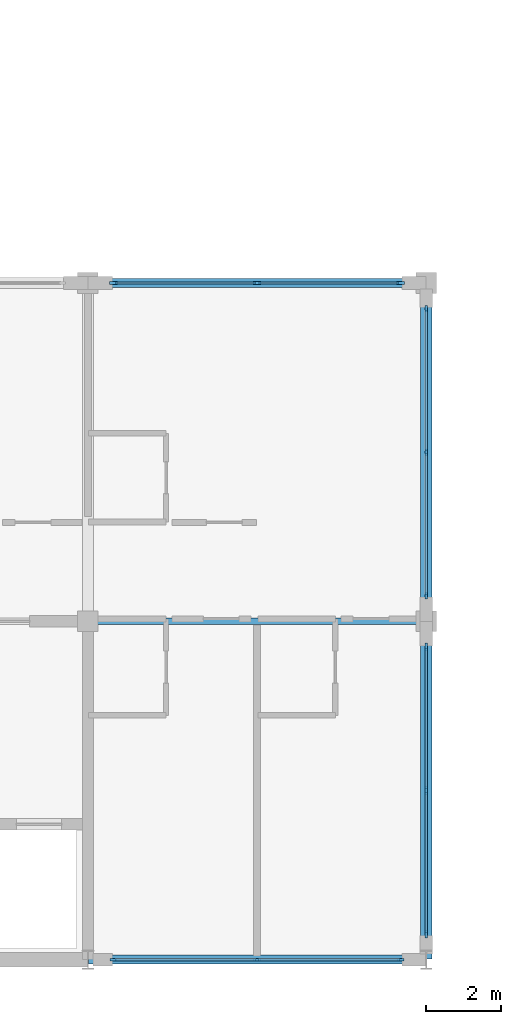
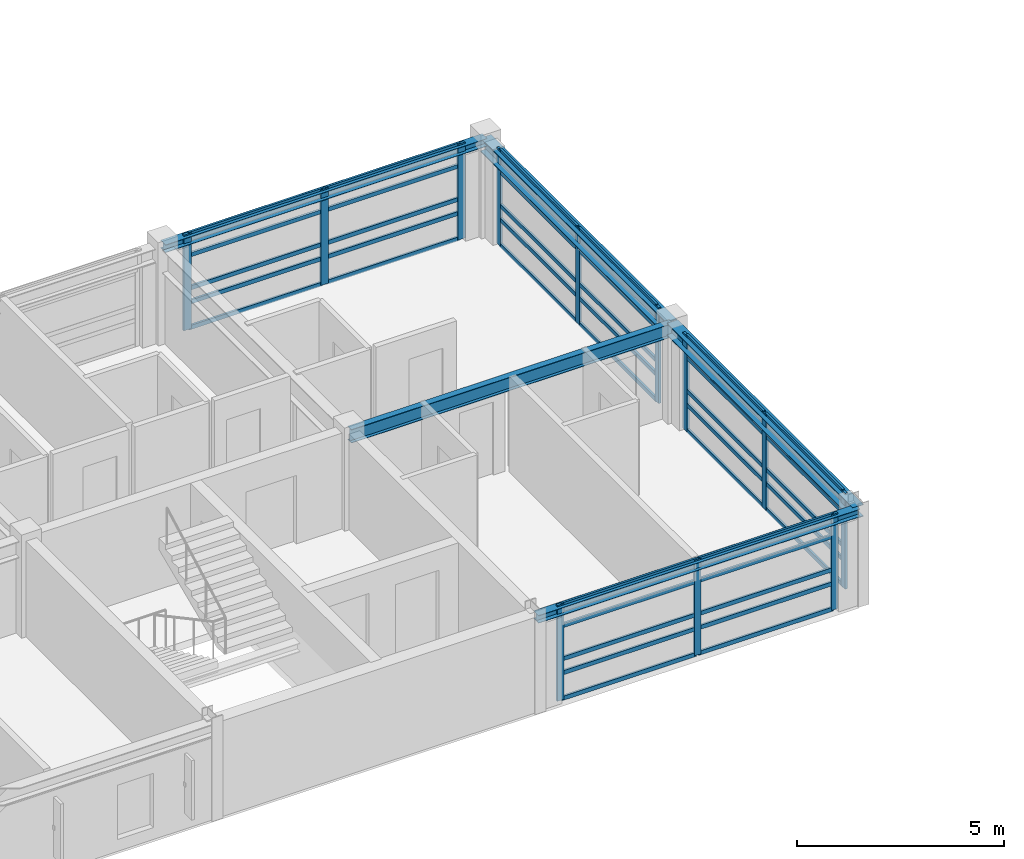
# One storey, part 11 of 37: 52 members, 5 beams, 4 elements without a shape of their own.
"""IFC4 building model written with IfcOpenShell, lengths in metres."""

from ifc_helpers import new_model, si_unit, direction, frame, origin, origin_2d, place, context, subcontext, project, spatial, rectangle, i_section, extrude, material, material_profile, profile_set, type_object, element, aggregate, save


model = new_model("IFC4")

# Units and contexts
model_context = context("Model", 3, precision=1e-05, world=origin(), true_north=direction((0.0, 1.0)))
body_context = subcontext(model_context, "Body", "Model", "MODEL_VIEW")
ifc_project = project(units=[si_unit("LENGTHUNIT", "METRE"), si_unit("AREAUNIT", "SQUARE_METRE"), si_unit("VOLUMEUNIT", "CUBIC_METRE"), si_unit("PLANEANGLEUNIT", "RADIAN"), si_unit("MASSUNIT", "GRAM", prefix="KILO")], contexts=[model_context])

# Site, building, storey
site_placement = place(None, origin())
site = spatial("IfcSite", under=ifc_project, at=site_placement, CompositionType="ELEMENT")
building_placement = place(site_placement, origin())
building = spatial("IfcBuilding", under=site, at=building_placement, Name="Palais des Congres Ocreval", CompositionType="ELEMENT")
storey_placement = place(building_placement, frame((0.0, 0.0, 11.52001953125)))
storey = spatial("IfcBuildingStorey", under=building, at=storey_placement, Name="L03", CompositionType="ELEMENT", Elevation=11.52001953125)

# Beam
ifc_material_1 = material(Name="Steel S355", Category="steel")
ifc_material_profile_1 = material_profile(ifc_material_1, i_section(OverallWidth=0.179931640625, OverallDepth=0.39990234375, WebThickness=0.008544921875, FlangeThickness=0.013427734375, at=origin_2d()), Name="IPE 400")
ifc_profile_set_1 = profile_set([ifc_material_profile_1], Name="Steel S355")
beam_type_1 = type_object("IfcBeamType", Name="Composite Beam IPE 400 Steel S355", PredefinedType="BEAM", material=ifc_profile_set_1)
beam_1_placement = place(storey_placement, frame((63.02001953125, 9.0, 2.580078125), z_axis=(1.0, 0.0, 0.0), x_axis=(0.0, 1.0, 0.0)))
element("IfcBeam", 1, at=beam_1_placement, inside=storey, type_object=beam_type_1, Name="Beam B02 L03", PredefinedType="BEAM", context=body_context, shape_type="SweptSolid", body=[
    extrude(i_section(OverallWidth=0.179931640625, OverallDepth=0.39990234375, WebThickness=0.008544921875, FlangeThickness=0.013427734375, at=origin_2d()), origin(), (0.0, 0.0, 1.0), 8.9599609375),
])

# Curtain wall, members
ifc_material_2 = material(Name="Anodized bronze aluminium and low-E glass", Category="glass")
curtain_wall_type = type_object("IfcCurtainWallType", Name="Unitised Curtain Wall 7900x2820", PredefinedType="USERDEFINED", material=ifc_material_2)
curtain_wall_1_placement = place(storey_placement, origin())
curtain_wall_1 = element("IfcCurtainWall", 2, at=curtain_wall_1_placement, inside=storey, type_object=curtain_wall_type, Name="Unitised Curtain Wall CW04 L03", ObjectType="UNITISED CURTAIN WALL", PredefinedType="USERDEFINED")
ifc_material_3 = material(Name="Anodized bronze aluminium", Category="aluminium")
ifc_material_profile_2 = material_profile(ifc_material_3, rectangle(XDim=0.06494140625, YDim=0.179931640625, at=origin_2d()), Name="ALU 65x180")
ifc_profile_set_2 = profile_set([ifc_material_profile_2], Name="Anodized bronze aluminium")
member_type_1 = type_object("IfcMemberType", Name="Curtain Wall Mullion ALU 65x180", PredefinedType="MULLION", material=ifc_profile_set_2)
member_1_placement = place(storey_placement, frame((72.0, 17.3173828125, 0.0), z_axis=(0.0, 0.0, 1.0), x_axis=(1.0, 0.0, 0.0)))
member_1 = element("IfcMember", 3, at=member_1_placement, type_object=member_type_1, Name="Curtain Wall Mullion ML03", PredefinedType="MULLION", context=body_context, shape_type="SweptSolid", body=[
    extrude(rectangle(XDim=0.06494140625, YDim=0.179931640625, at=origin_2d()), origin(), (0.0, 0.0, 1.0), 2.820068359375),
])
member_2_placement = place(storey_placement, frame((72.0, 13.5, 0.0), z_axis=(0.0, 0.0, 1.0), x_axis=(1.0, 0.0, 0.0)))
member_2 = element("IfcMember", 4, at=member_2_placement, type_object=member_type_1, Name="Curtain Wall Mullion ML03", PredefinedType="MULLION", context=body_context, shape_type="SweptSolid", body=[
    extrude(rectangle(XDim=0.06494140625, YDim=0.179931640625, at=origin_2d()), origin(), (0.0, 0.0, 1.0), 2.820068359375),
])
member_3_placement = place(storey_placement, frame((72.0, 9.6826171875, 0.0), z_axis=(0.0, 0.0, 1.0), x_axis=(1.0, 0.0, 0.0)))
member_3 = element("IfcMember", 5, at=member_3_placement, type_object=member_type_1, Name="Curtain Wall Mullion ML03", PredefinedType="MULLION", context=body_context, shape_type="SweptSolid", body=[
    extrude(rectangle(XDim=0.06494140625, YDim=0.179931640625, at=origin_2d()), origin(), (0.0, 0.0, 1.0), 2.820068359375),
])

curtain_wall_2_placement = place(storey_placement, origin())
curtain_wall_2 = element("IfcCurtainWall", 6, at=curtain_wall_2_placement, inside=storey, type_object=curtain_wall_type, Name="Unitised Curtain Wall CW04 L03", ObjectType="UNITISED CURTAIN WALL", PredefinedType="USERDEFINED")
member_4_placement = place(storey_placement, frame((71.3173828125, 0.0, 0.0), z_axis=(0.0, 0.0, 1.0), x_axis=(0.0, -1.0, 0.0)))
member_4 = element("IfcMember", 7, at=member_4_placement, type_object=member_type_1, Name="Curtain Wall Mullion ML03", PredefinedType="MULLION", context=body_context, shape_type="SweptSolid", body=[
    extrude(rectangle(XDim=0.06494140625, YDim=0.179931640625, at=origin_2d()), origin(), (0.0, 0.0, 1.0), 2.820068359375),
])
member_5_placement = place(storey_placement, frame((67.5, 0.0, 0.0), z_axis=(0.0, 0.0, 1.0), x_axis=(0.0, -1.0, 0.0)))
member_5 = element("IfcMember", 8, at=member_5_placement, type_object=member_type_1, Name="Curtain Wall Mullion ML03", PredefinedType="MULLION", context=body_context, shape_type="SweptSolid", body=[
    extrude(rectangle(XDim=0.06494140625, YDim=0.179931640625, at=origin_2d()), origin(), (0.0, 0.0, 1.0), 2.820068359375),
])
member_6_placement = place(storey_placement, frame((63.6826171875, 0.0, 0.0), z_axis=(0.0, 0.0, 1.0), x_axis=(0.0, -1.0, 0.0)))
member_6 = element("IfcMember", 9, at=member_6_placement, type_object=member_type_1, Name="Curtain Wall Mullion ML03", PredefinedType="MULLION", context=body_context, shape_type="SweptSolid", body=[
    extrude(rectangle(XDim=0.06494140625, YDim=0.179931640625, at=origin_2d()), origin(), (0.0, 0.0, 1.0), 2.820068359375),
])

curtain_wall_3_placement = place(storey_placement, origin())
curtain_wall_3 = element("IfcCurtainWall", 10, at=curtain_wall_3_placement, inside=storey, type_object=curtain_wall_type, Name="Unitised Curtain Wall CW04 L03", ObjectType="UNITISED CURTAIN WALL", PredefinedType="USERDEFINED")
ifc_material_profile_3 = material_profile(ifc_material_3, rectangle(XDim=0.070068359375, YDim=0.2099609375, at=origin_2d()), Name="ALU 70x210")
ifc_profile_set_3 = profile_set([ifc_material_profile_3], Name="Anodized bronze aluminium")
member_type_2 = type_object("IfcMemberType", Name="Curtain Wall Mullion ALU 70x210", PredefinedType="MULLION", material=ifc_profile_set_3)
member_7_placement = place(storey_placement, frame((72.0, 8.31494140625, 0.0), z_axis=(0.0, 0.0, 1.0), x_axis=(1.0, 0.0, 0.0)))
member_7 = element("IfcMember", 11, at=member_7_placement, type_object=member_type_2, Name="Curtain Wall Mullion ML02", PredefinedType="MULLION", context=body_context, shape_type="SweptSolid", body=[
    extrude(rectangle(XDim=0.070068359375, YDim=0.2099609375, at=origin_2d()), origin(), (0.0, 0.0, 1.0), 2.820068359375),
])
member_8_placement = place(storey_placement, frame((72.0, 4.5, 0.0), z_axis=(0.0, 0.0, 1.0), x_axis=(1.0, 0.0, 0.0)))
member_8 = element("IfcMember", 12, at=member_8_placement, type_object=member_type_2, Name="Curtain Wall Mullion ML02", PredefinedType="MULLION", context=body_context, shape_type="SweptSolid", body=[
    extrude(rectangle(XDim=0.070068359375, YDim=0.2099609375, at=origin_2d()), origin(), (0.0, 0.0, 1.0), 2.820068359375),
])
member_9_placement = place(storey_placement, frame((72.0, 0.68505859375, 0.0), z_axis=(0.0, 0.0, 1.0), x_axis=(1.0, 0.0, 0.0)))
member_9 = element("IfcMember", 13, at=member_9_placement, type_object=member_type_2, Name="Curtain Wall Mullion ML02", PredefinedType="MULLION", context=body_context, shape_type="SweptSolid", body=[
    extrude(rectangle(XDim=0.070068359375, YDim=0.2099609375, at=origin_2d()), origin(), (0.0, 0.0, 1.0), 2.820068359375),
])

curtain_wall_4_placement = place(storey_placement, origin())
curtain_wall_4 = element("IfcCurtainWall", 14, at=curtain_wall_4_placement, inside=storey, type_object=curtain_wall_type, Name="Unitised Curtain Wall CW04 L03", ObjectType="UNITISED CURTAIN WALL", PredefinedType="USERDEFINED")
member_10_placement = place(storey_placement, frame((63.68505859375, 18.0, 0.0), z_axis=(0.0, 0.0, 1.0), x_axis=(0.0, 1.0, 0.0)))
member_10 = element("IfcMember", 15, at=member_10_placement, type_object=member_type_2, Name="Curtain Wall Mullion ML02", PredefinedType="MULLION", context=body_context, shape_type="SweptSolid", body=[
    extrude(rectangle(XDim=0.070068359375, YDim=0.2099609375, at=origin_2d()), origin(), (0.0, 0.0, 1.0), 2.820068359375),
])
member_11_placement = place(storey_placement, frame((67.5, 18.0, 0.0), z_axis=(0.0, 0.0, 1.0), x_axis=(0.0, 1.0, 0.0)))
member_11 = element("IfcMember", 16, at=member_11_placement, type_object=member_type_2, Name="Curtain Wall Mullion ML02", PredefinedType="MULLION", context=body_context, shape_type="SweptSolid", body=[
    extrude(rectangle(XDim=0.070068359375, YDim=0.2099609375, at=origin_2d()), origin(), (0.0, 0.0, 1.0), 2.820068359375),
])
member_12_placement = place(storey_placement, frame((71.31494140625, 18.0, 0.0), z_axis=(0.0, 0.0, 1.0), x_axis=(0.0, 1.0, 0.0)))
member_12 = element("IfcMember", 17, at=member_12_placement, type_object=member_type_2, Name="Curtain Wall Mullion ML02", PredefinedType="MULLION", context=body_context, shape_type="SweptSolid", body=[
    extrude(rectangle(XDim=0.070068359375, YDim=0.2099609375, at=origin_2d()), origin(), (0.0, 0.0, 1.0), 2.820068359375),
])

# Member
ifc_material_profile_4 = material_profile(ifc_material_3, rectangle(XDim=0.06005859375, YDim=0.1201171875, at=origin_2d()), Name="ALU 60x120")
ifc_profile_set_4 = profile_set([ifc_material_profile_4], Name="Anodized bronze aluminium")
member_type_3 = type_object("IfcMemberType", Name="Curtain Wall Transom ALU 60x120", PredefinedType="USERDEFINED", material=ifc_profile_set_4)
member_13_placement = place(storey_placement, frame((72.0, 17.284912109375, 0.030029296875), z_axis=(0.0, -1.0, 0.0), x_axis=(1.0, 0.0, 0.0)))
member_13 = element("IfcMember", 18, at=member_13_placement, type_object=member_type_3, Name="Curtain Wall Transom TR02", ObjectType="TRANSOM", PredefinedType="USERDEFINED", context=body_context, shape_type="SweptSolid", body=[
    extrude(rectangle(XDim=0.06005859375, YDim=0.1201171875, at=origin_2d()), origin(), (0.0, 0.0, 1.0), 3.75244140625),
])

member_14_placement = place(storey_placement, frame((72.0, 17.284912109375, 0.780029296875), z_axis=(0.0, -1.0, 0.0), x_axis=(1.0, 0.0, 0.0)))
member_14 = element("IfcMember", 19, at=member_14_placement, type_object=member_type_3, Name="Curtain Wall Transom TR02", ObjectType="TRANSOM", PredefinedType="USERDEFINED", context=body_context, shape_type="SweptSolid", body=[
    extrude(rectangle(XDim=0.06005859375, YDim=0.1201171875, at=origin_2d()), origin(), (0.0, 0.0, 1.0), 3.75244140625),
])

member_15_placement = place(storey_placement, frame((72.0, 17.284912109375, 1.193359375), z_axis=(0.0, -1.0, 0.0), x_axis=(1.0, 0.0, 0.0)))
member_15 = element("IfcMember", 20, at=member_15_placement, type_object=member_type_3, Name="Curtain Wall Transom TR02", ObjectType="TRANSOM", PredefinedType="USERDEFINED", context=body_context, shape_type="SweptSolid", body=[
    extrude(rectangle(XDim=0.06005859375, YDim=0.1201171875, at=origin_2d()), origin(), (0.0, 0.0, 1.0), 3.75244140625),
])

member_16_placement = place(storey_placement, frame((72.0, 17.284912109375, 2.169921875), z_axis=(0.0, -1.0, 0.0), x_axis=(1.0, 0.0, 0.0)))
member_16 = element("IfcMember", 21, at=member_16_placement, type_object=member_type_3, Name="Curtain Wall Transom TR02", ObjectType="TRANSOM", PredefinedType="USERDEFINED", context=body_context, shape_type="SweptSolid", body=[
    extrude(rectangle(XDim=0.06005859375, YDim=0.1201171875, at=origin_2d()), origin(), (0.0, 0.0, 1.0), 3.75244140625),
])

member_17_placement = place(storey_placement, frame((72.0, 17.284912109375, 2.7900390625), z_axis=(0.0, -1.0, 0.0), x_axis=(1.0, 0.0, 0.0)))
member_17 = element("IfcMember", 22, at=member_17_placement, type_object=member_type_3, Name="Curtain Wall Transom TR02", ObjectType="TRANSOM", PredefinedType="USERDEFINED", context=body_context, shape_type="SweptSolid", body=[
    extrude(rectangle(XDim=0.06005859375, YDim=0.1201171875, at=origin_2d()), origin(), (0.0, 0.0, 1.0), 3.75244140625),
])

member_18_placement = place(storey_placement, frame((72.0, 13.467529296875, 0.030029296875), z_axis=(0.0, -1.0, 0.0), x_axis=(1.0, 0.0, 0.0)))
member_18 = element("IfcMember", 23, at=member_18_placement, type_object=member_type_3, Name="Curtain Wall Transom TR02", ObjectType="TRANSOM", PredefinedType="USERDEFINED", context=body_context, shape_type="SweptSolid", body=[
    extrude(rectangle(XDim=0.06005859375, YDim=0.1201171875, at=origin_2d()), origin(), (0.0, 0.0, 1.0), 3.75244140625),
])

member_19_placement = place(storey_placement, frame((72.0, 13.467529296875, 0.780029296875), z_axis=(0.0, -1.0, 0.0), x_axis=(1.0, 0.0, 0.0)))
member_19 = element("IfcMember", 24, at=member_19_placement, type_object=member_type_3, Name="Curtain Wall Transom TR02", ObjectType="TRANSOM", PredefinedType="USERDEFINED", context=body_context, shape_type="SweptSolid", body=[
    extrude(rectangle(XDim=0.06005859375, YDim=0.1201171875, at=origin_2d()), origin(), (0.0, 0.0, 1.0), 3.75244140625),
])

member_20_placement = place(storey_placement, frame((72.0, 13.467529296875, 1.193359375), z_axis=(0.0, -1.0, 0.0), x_axis=(1.0, 0.0, 0.0)))
member_20 = element("IfcMember", 25, at=member_20_placement, type_object=member_type_3, Name="Curtain Wall Transom TR02", ObjectType="TRANSOM", PredefinedType="USERDEFINED", context=body_context, shape_type="SweptSolid", body=[
    extrude(rectangle(XDim=0.06005859375, YDim=0.1201171875, at=origin_2d()), origin(), (0.0, 0.0, 1.0), 3.75244140625),
])

member_21_placement = place(storey_placement, frame((72.0, 13.467529296875, 2.169921875), z_axis=(0.0, -1.0, 0.0), x_axis=(1.0, 0.0, 0.0)))
member_21 = element("IfcMember", 26, at=member_21_placement, type_object=member_type_3, Name="Curtain Wall Transom TR02", ObjectType="TRANSOM", PredefinedType="USERDEFINED", context=body_context, shape_type="SweptSolid", body=[
    extrude(rectangle(XDim=0.06005859375, YDim=0.1201171875, at=origin_2d()), origin(), (0.0, 0.0, 1.0), 3.75244140625),
])

member_22_placement = place(storey_placement, frame((72.0, 13.467529296875, 2.7900390625), z_axis=(0.0, -1.0, 0.0), x_axis=(1.0, 0.0, 0.0)))
member_22 = element("IfcMember", 27, at=member_22_placement, type_object=member_type_3, Name="Curtain Wall Transom TR02", ObjectType="TRANSOM", PredefinedType="USERDEFINED", context=body_context, shape_type="SweptSolid", body=[
    extrude(rectangle(XDim=0.06005859375, YDim=0.1201171875, at=origin_2d()), origin(), (0.0, 0.0, 1.0), 3.75244140625),
])

aggregate(curtain_wall_1, [member_1, member_2, member_3, member_13, member_14, member_15, member_16, member_17, member_18, member_19, member_20, member_21, member_22])

member_23_placement = place(storey_placement, frame((72.0, 8.280029296875, 0.030029296875), z_axis=(0.0, -1.0, 0.0), x_axis=(1.0, 0.0, 0.0)))
member_23 = element("IfcMember", 28, at=member_23_placement, type_object=member_type_3, Name="Curtain Wall Transom TR02", ObjectType="TRANSOM", PredefinedType="USERDEFINED", context=body_context, shape_type="SweptSolid", body=[
    extrude(rectangle(XDim=0.06005859375, YDim=0.1201171875, at=origin_2d()), origin(), (0.0, 0.0, 1.0), 3.7451171875),
])

member_24_placement = place(storey_placement, frame((72.0, 8.280029296875, 0.780029296875), z_axis=(0.0, -1.0, 0.0), x_axis=(1.0, 0.0, 0.0)))
member_24 = element("IfcMember", 29, at=member_24_placement, type_object=member_type_3, Name="Curtain Wall Transom TR02", ObjectType="TRANSOM", PredefinedType="USERDEFINED", context=body_context, shape_type="SweptSolid", body=[
    extrude(rectangle(XDim=0.06005859375, YDim=0.1201171875, at=origin_2d()), origin(), (0.0, 0.0, 1.0), 3.7451171875),
])

member_25_placement = place(storey_placement, frame((72.0, 8.280029296875, 1.193359375), z_axis=(0.0, -1.0, 0.0), x_axis=(1.0, 0.0, 0.0)))
member_25 = element("IfcMember", 30, at=member_25_placement, type_object=member_type_3, Name="Curtain Wall Transom TR02", ObjectType="TRANSOM", PredefinedType="USERDEFINED", context=body_context, shape_type="SweptSolid", body=[
    extrude(rectangle(XDim=0.06005859375, YDim=0.1201171875, at=origin_2d()), origin(), (0.0, 0.0, 1.0), 3.7451171875),
])

member_26_placement = place(storey_placement, frame((72.0, 8.280029296875, 2.169921875), z_axis=(0.0, -1.0, 0.0), x_axis=(1.0, 0.0, 0.0)))
member_26 = element("IfcMember", 31, at=member_26_placement, type_object=member_type_3, Name="Curtain Wall Transom TR02", ObjectType="TRANSOM", PredefinedType="USERDEFINED", context=body_context, shape_type="SweptSolid", body=[
    extrude(rectangle(XDim=0.06005859375, YDim=0.1201171875, at=origin_2d()), origin(), (0.0, 0.0, 1.0), 3.7451171875),
])

member_27_placement = place(storey_placement, frame((72.0, 8.280029296875, 2.7900390625), z_axis=(0.0, -1.0, 0.0), x_axis=(1.0, 0.0, 0.0)))
member_27 = element("IfcMember", 32, at=member_27_placement, type_object=member_type_3, Name="Curtain Wall Transom TR02", ObjectType="TRANSOM", PredefinedType="USERDEFINED", context=body_context, shape_type="SweptSolid", body=[
    extrude(rectangle(XDim=0.06005859375, YDim=0.1201171875, at=origin_2d()), origin(), (0.0, 0.0, 1.0), 3.7451171875),
])

member_28_placement = place(storey_placement, frame((72.0, 4.465087890625, 0.030029296875), z_axis=(0.0, -1.0, 0.0), x_axis=(1.0, 0.0, 0.0)))
member_28 = element("IfcMember", 33, at=member_28_placement, type_object=member_type_3, Name="Curtain Wall Transom TR02", ObjectType="TRANSOM", PredefinedType="USERDEFINED", context=body_context, shape_type="SweptSolid", body=[
    extrude(rectangle(XDim=0.06005859375, YDim=0.1201171875, at=origin_2d()), origin(), (0.0, 0.0, 1.0), 3.7451171875),
])

member_29_placement = place(storey_placement, frame((72.0, 4.465087890625, 0.780029296875), z_axis=(0.0, -1.0, 0.0), x_axis=(1.0, 0.0, 0.0)))
member_29 = element("IfcMember", 34, at=member_29_placement, type_object=member_type_3, Name="Curtain Wall Transom TR02", ObjectType="TRANSOM", PredefinedType="USERDEFINED", context=body_context, shape_type="SweptSolid", body=[
    extrude(rectangle(XDim=0.06005859375, YDim=0.1201171875, at=origin_2d()), origin(), (0.0, 0.0, 1.0), 3.7451171875),
])

member_30_placement = place(storey_placement, frame((72.0, 4.465087890625, 1.193359375), z_axis=(0.0, -1.0, 0.0), x_axis=(1.0, 0.0, 0.0)))
member_30 = element("IfcMember", 35, at=member_30_placement, type_object=member_type_3, Name="Curtain Wall Transom TR02", ObjectType="TRANSOM", PredefinedType="USERDEFINED", context=body_context, shape_type="SweptSolid", body=[
    extrude(rectangle(XDim=0.06005859375, YDim=0.1201171875, at=origin_2d()), origin(), (0.0, 0.0, 1.0), 3.7451171875),
])

member_31_placement = place(storey_placement, frame((72.0, 4.465087890625, 2.169921875), z_axis=(0.0, -1.0, 0.0), x_axis=(1.0, 0.0, 0.0)))
member_31 = element("IfcMember", 36, at=member_31_placement, type_object=member_type_3, Name="Curtain Wall Transom TR02", ObjectType="TRANSOM", PredefinedType="USERDEFINED", context=body_context, shape_type="SweptSolid", body=[
    extrude(rectangle(XDim=0.06005859375, YDim=0.1201171875, at=origin_2d()), origin(), (0.0, 0.0, 1.0), 3.7451171875),
])

member_32_placement = place(storey_placement, frame((72.0, 4.465087890625, 2.7900390625), z_axis=(0.0, -1.0, 0.0), x_axis=(1.0, 0.0, 0.0)))
member_32 = element("IfcMember", 37, at=member_32_placement, type_object=member_type_3, Name="Curtain Wall Transom TR02", ObjectType="TRANSOM", PredefinedType="USERDEFINED", context=body_context, shape_type="SweptSolid", body=[
    extrude(rectangle(XDim=0.06005859375, YDim=0.1201171875, at=origin_2d()), origin(), (0.0, 0.0, 1.0), 3.7451171875),
])

aggregate(curtain_wall_3, [member_7, member_8, member_9, member_23, member_24, member_25, member_26, member_27, member_28, member_29, member_30, member_31, member_32])

member_33_placement = place(storey_placement, frame((71.284912109375, 0.0, 0.030029296875), z_axis=(-1.0, 0.0, 0.0), x_axis=(0.0, -1.0, 0.0)))
member_33 = element("IfcMember", 38, at=member_33_placement, type_object=member_type_3, Name="Curtain Wall Transom TR02", ObjectType="TRANSOM", PredefinedType="USERDEFINED", context=body_context, shape_type="SweptSolid", body=[
    extrude(rectangle(XDim=0.06005859375, YDim=0.1201171875, at=origin_2d()), origin(), (0.0, 0.0, 1.0), 3.75244140625),
])

member_34_placement = place(storey_placement, frame((71.284912109375, 0.0, 0.780029296875), z_axis=(-1.0, 0.0, 0.0), x_axis=(0.0, -1.0, 0.0)))
member_34 = element("IfcMember", 39, at=member_34_placement, type_object=member_type_3, Name="Curtain Wall Transom TR02", ObjectType="TRANSOM", PredefinedType="USERDEFINED", context=body_context, shape_type="SweptSolid", body=[
    extrude(rectangle(XDim=0.06005859375, YDim=0.1201171875, at=origin_2d()), origin(), (0.0, 0.0, 1.0), 3.75244140625),
])

member_35_placement = place(storey_placement, frame((71.284912109375, 0.0, 1.193359375), z_axis=(-1.0, 0.0, 0.0), x_axis=(0.0, -1.0, 0.0)))
member_35 = element("IfcMember", 40, at=member_35_placement, type_object=member_type_3, Name="Curtain Wall Transom TR02", ObjectType="TRANSOM", PredefinedType="USERDEFINED", context=body_context, shape_type="SweptSolid", body=[
    extrude(rectangle(XDim=0.06005859375, YDim=0.1201171875, at=origin_2d()), origin(), (0.0, 0.0, 1.0), 3.75244140625),
])

member_36_placement = place(storey_placement, frame((71.284912109375, 0.0, 2.169921875), z_axis=(-1.0, 0.0, 0.0), x_axis=(0.0, -1.0, 0.0)))
member_36 = element("IfcMember", 41, at=member_36_placement, type_object=member_type_3, Name="Curtain Wall Transom TR02", ObjectType="TRANSOM", PredefinedType="USERDEFINED", context=body_context, shape_type="SweptSolid", body=[
    extrude(rectangle(XDim=0.06005859375, YDim=0.1201171875, at=origin_2d()), origin(), (0.0, 0.0, 1.0), 3.75244140625),
])

member_37_placement = place(storey_placement, frame((71.284912109375, 0.0, 2.7900390625), z_axis=(-1.0, 0.0, 0.0), x_axis=(0.0, -1.0, 0.0)))
member_37 = element("IfcMember", 42, at=member_37_placement, type_object=member_type_3, Name="Curtain Wall Transom TR02", ObjectType="TRANSOM", PredefinedType="USERDEFINED", context=body_context, shape_type="SweptSolid", body=[
    extrude(rectangle(XDim=0.06005859375, YDim=0.1201171875, at=origin_2d()), origin(), (0.0, 0.0, 1.0), 3.75244140625),
])

member_38_placement = place(storey_placement, frame((67.467529296875, 0.0, 0.030029296875), z_axis=(-1.0, 0.0, 0.0), x_axis=(0.0, -1.0, 0.0)))
member_38 = element("IfcMember", 43, at=member_38_placement, type_object=member_type_3, Name="Curtain Wall Transom TR02", ObjectType="TRANSOM", PredefinedType="USERDEFINED", context=body_context, shape_type="SweptSolid", body=[
    extrude(rectangle(XDim=0.06005859375, YDim=0.1201171875, at=origin_2d()), origin(), (0.0, 0.0, 1.0), 3.75244140625),
])

member_39_placement = place(storey_placement, frame((67.467529296875, 0.0, 0.780029296875), z_axis=(-1.0, 0.0, 0.0), x_axis=(0.0, -1.0, 0.0)))
member_39 = element("IfcMember", 44, at=member_39_placement, type_object=member_type_3, Name="Curtain Wall Transom TR02", ObjectType="TRANSOM", PredefinedType="USERDEFINED", context=body_context, shape_type="SweptSolid", body=[
    extrude(rectangle(XDim=0.06005859375, YDim=0.1201171875, at=origin_2d()), origin(), (0.0, 0.0, 1.0), 3.75244140625),
])

member_40_placement = place(storey_placement, frame((67.467529296875, 0.0, 1.193359375), z_axis=(-1.0, 0.0, 0.0), x_axis=(0.0, -1.0, 0.0)))
member_40 = element("IfcMember", 45, at=member_40_placement, type_object=member_type_3, Name="Curtain Wall Transom TR02", ObjectType="TRANSOM", PredefinedType="USERDEFINED", context=body_context, shape_type="SweptSolid", body=[
    extrude(rectangle(XDim=0.06005859375, YDim=0.1201171875, at=origin_2d()), origin(), (0.0, 0.0, 1.0), 3.75244140625),
])

member_41_placement = place(storey_placement, frame((67.467529296875, 0.0, 2.169921875), z_axis=(-1.0, 0.0, 0.0), x_axis=(0.0, -1.0, 0.0)))
member_41 = element("IfcMember", 46, at=member_41_placement, type_object=member_type_3, Name="Curtain Wall Transom TR02", ObjectType="TRANSOM", PredefinedType="USERDEFINED", context=body_context, shape_type="SweptSolid", body=[
    extrude(rectangle(XDim=0.06005859375, YDim=0.1201171875, at=origin_2d()), origin(), (0.0, 0.0, 1.0), 3.75244140625),
])

member_42_placement = place(storey_placement, frame((67.467529296875, 0.0, 2.7900390625), z_axis=(-1.0, 0.0, 0.0), x_axis=(0.0, -1.0, 0.0)))
member_42 = element("IfcMember", 47, at=member_42_placement, type_object=member_type_3, Name="Curtain Wall Transom TR02", ObjectType="TRANSOM", PredefinedType="USERDEFINED", context=body_context, shape_type="SweptSolid", body=[
    extrude(rectangle(XDim=0.06005859375, YDim=0.1201171875, at=origin_2d()), origin(), (0.0, 0.0, 1.0), 3.75244140625),
])

aggregate(curtain_wall_2, [member_4, member_5, member_6, member_33, member_34, member_35, member_36, member_37, member_38, member_39, member_40, member_41, member_42])

member_43_placement = place(storey_placement, frame((63.719970703125, 18.0, 0.030029296875), z_axis=(1.0, 0.0, 0.0), x_axis=(0.0, 1.0, 0.0)))
member_43 = element("IfcMember", 48, at=member_43_placement, type_object=member_type_3, Name="Curtain Wall Transom TR02", ObjectType="TRANSOM", PredefinedType="USERDEFINED", context=body_context, shape_type="SweptSolid", body=[
    extrude(rectangle(XDim=0.06005859375, YDim=0.1201171875, at=origin_2d()), origin(), (0.0, 0.0, 1.0), 3.7451171875),
])

member_44_placement = place(storey_placement, frame((63.719970703125, 18.0, 0.780029296875), z_axis=(1.0, 0.0, 0.0), x_axis=(0.0, 1.0, 0.0)))
member_44 = element("IfcMember", 49, at=member_44_placement, type_object=member_type_3, Name="Curtain Wall Transom TR02", ObjectType="TRANSOM", PredefinedType="USERDEFINED", context=body_context, shape_type="SweptSolid", body=[
    extrude(rectangle(XDim=0.06005859375, YDim=0.1201171875, at=origin_2d()), origin(), (0.0, 0.0, 1.0), 3.7451171875),
])

member_45_placement = place(storey_placement, frame((63.719970703125, 18.0, 1.193359375), z_axis=(1.0, 0.0, 0.0), x_axis=(0.0, 1.0, 0.0)))
member_45 = element("IfcMember", 50, at=member_45_placement, type_object=member_type_3, Name="Curtain Wall Transom TR02", ObjectType="TRANSOM", PredefinedType="USERDEFINED", context=body_context, shape_type="SweptSolid", body=[
    extrude(rectangle(XDim=0.06005859375, YDim=0.1201171875, at=origin_2d()), origin(), (0.0, 0.0, 1.0), 3.7451171875),
])

member_46_placement = place(storey_placement, frame((63.719970703125, 18.0, 2.169921875), z_axis=(1.0, 0.0, 0.0), x_axis=(0.0, 1.0, 0.0)))
member_46 = element("IfcMember", 51, at=member_46_placement, type_object=member_type_3, Name="Curtain Wall Transom TR02", ObjectType="TRANSOM", PredefinedType="USERDEFINED", context=body_context, shape_type="SweptSolid", body=[
    extrude(rectangle(XDim=0.06005859375, YDim=0.1201171875, at=origin_2d()), origin(), (0.0, 0.0, 1.0), 3.7451171875),
])

member_47_placement = place(storey_placement, frame((63.719970703125, 18.0, 2.7900390625), z_axis=(1.0, 0.0, 0.0), x_axis=(0.0, 1.0, 0.0)))
member_47 = element("IfcMember", 52, at=member_47_placement, type_object=member_type_3, Name="Curtain Wall Transom TR02", ObjectType="TRANSOM", PredefinedType="USERDEFINED", context=body_context, shape_type="SweptSolid", body=[
    extrude(rectangle(XDim=0.06005859375, YDim=0.1201171875, at=origin_2d()), origin(), (0.0, 0.0, 1.0), 3.7451171875),
])

member_48_placement = place(storey_placement, frame((67.534912109375, 18.0, 0.030029296875), z_axis=(1.0, 0.0, 0.0), x_axis=(0.0, 1.0, 0.0)))
member_48 = element("IfcMember", 53, at=member_48_placement, type_object=member_type_3, Name="Curtain Wall Transom TR02", ObjectType="TRANSOM", PredefinedType="USERDEFINED", context=body_context, shape_type="SweptSolid", body=[
    extrude(rectangle(XDim=0.06005859375, YDim=0.1201171875, at=origin_2d()), origin(), (0.0, 0.0, 1.0), 3.7451171875),
])

member_49_placement = place(storey_placement, frame((67.534912109375, 18.0, 0.780029296875), z_axis=(1.0, 0.0, 0.0), x_axis=(0.0, 1.0, 0.0)))
member_49 = element("IfcMember", 54, at=member_49_placement, type_object=member_type_3, Name="Curtain Wall Transom TR02", ObjectType="TRANSOM", PredefinedType="USERDEFINED", context=body_context, shape_type="SweptSolid", body=[
    extrude(rectangle(XDim=0.06005859375, YDim=0.1201171875, at=origin_2d()), origin(), (0.0, 0.0, 1.0), 3.7451171875),
])

member_50_placement = place(storey_placement, frame((67.534912109375, 18.0, 1.193359375), z_axis=(1.0, 0.0, 0.0), x_axis=(0.0, 1.0, 0.0)))
member_50 = element("IfcMember", 55, at=member_50_placement, type_object=member_type_3, Name="Curtain Wall Transom TR02", ObjectType="TRANSOM", PredefinedType="USERDEFINED", context=body_context, shape_type="SweptSolid", body=[
    extrude(rectangle(XDim=0.06005859375, YDim=0.1201171875, at=origin_2d()), origin(), (0.0, 0.0, 1.0), 3.7451171875),
])

member_51_placement = place(storey_placement, frame((67.534912109375, 18.0, 2.169921875), z_axis=(1.0, 0.0, 0.0), x_axis=(0.0, 1.0, 0.0)))
member_51 = element("IfcMember", 56, at=member_51_placement, type_object=member_type_3, Name="Curtain Wall Transom TR02", ObjectType="TRANSOM", PredefinedType="USERDEFINED", context=body_context, shape_type="SweptSolid", body=[
    extrude(rectangle(XDim=0.06005859375, YDim=0.1201171875, at=origin_2d()), origin(), (0.0, 0.0, 1.0), 3.7451171875),
])

member_52_placement = place(storey_placement, frame((67.534912109375, 18.0, 2.7900390625), z_axis=(1.0, 0.0, 0.0), x_axis=(0.0, 1.0, 0.0)))
member_52 = element("IfcMember", 57, at=member_52_placement, type_object=member_type_3, Name="Curtain Wall Transom TR02", ObjectType="TRANSOM", PredefinedType="USERDEFINED", context=body_context, shape_type="SweptSolid", body=[
    extrude(rectangle(XDim=0.06005859375, YDim=0.1201171875, at=origin_2d()), origin(), (0.0, 0.0, 1.0), 3.7451171875),
])

aggregate(curtain_wall_4, [member_10, member_11, member_12, member_43, member_44, member_45, member_46, member_47, member_48, member_49, member_50, member_51, member_52])

# Beams
ifc_material_profile_5 = material_profile(ifc_material_1, i_section(OverallWidth=0.239990234375, OverallDepth=0.22998046875, WebThickness=0.007568359375, FlangeThickness=0.011962890625, at=origin_2d()), Name="HEA 240")
ifc_profile_set_5 = profile_set([ifc_material_profile_5], Name="Steel S355")
beam_type_2 = type_object("IfcBeamType", Name="Perimeter Spandrel HEA 240 Steel S355", PredefinedType="SPANDREL", material=ifc_profile_set_5)
for number, where, z_axis, x_axis, name in (
    (58, (63.02001953125, 0.0, 2.6650390625), (1.0, 0.0, 0.0), (0.0, 1.0, 0.0), "Beam SP01 L03"),
    (59, (63.02001953125, 18.0, 2.6650390625), (1.0, 0.0, 0.0), (0.0, 1.0, 0.0), "Beam SP01 L03"),
):
    element("IfcBeam", number, at=place(storey_placement, frame(where, z_axis=z_axis, x_axis=x_axis)), inside=storey, type_object=beam_type_2, Name=name, PredefinedType="SPANDREL", context=body_context, shape_type="SweptSolid", body=[
        extrude(i_section(OverallWidth=0.239990234375, OverallDepth=0.22998046875, WebThickness=0.007568359375, FlangeThickness=0.011962890625, at=origin_2d()), origin(), (0.0, 0.0, 1.0), 8.9599609375),
    ])
ifc_material_profile_6 = material_profile(ifc_material_1, i_section(OverallWidth=0.300048828125, OverallDepth=0.360107421875, WebThickness=0.012451171875, FlangeThickness=0.0224609375, at=origin_2d()), Name="HEB 360")
ifc_profile_set_6 = profile_set([ifc_material_profile_6], Name="Steel S355")
beam_type_3 = type_object("IfcBeamType", Name="Perimeter Spandrel HEB 360 Steel S355", PredefinedType="SPANDREL", material=ifc_profile_set_6)
beam_2_placement = place(storey_placement, frame((72.0, 0.02001953125, 2.60009765625), z_axis=(0.0, 1.0, 0.0), x_axis=(-1.0, 0.0, 0.0)))
element("IfcBeam", 60, at=beam_2_placement, inside=storey, type_object=beam_type_3, Name="Girder SP03 L03", PredefinedType="SPANDREL", context=body_context, shape_type="SweptSolid", body=[
    extrude(i_section(OverallWidth=0.300048828125, OverallDepth=0.360107421875, WebThickness=0.012451171875, FlangeThickness=0.0224609375, at=origin_2d()), origin(), (0.0, 0.0, 1.0), 8.9599609375),
])
ifc_material_profile_7 = material_profile(ifc_material_1, i_section(OverallWidth=0.300048828125, OverallDepth=0.39990234375, WebThickness=0.013427734375, FlangeThickness=0.02392578125, at=origin_2d()), Name="HEB 400")
ifc_profile_set_7 = profile_set([ifc_material_profile_7], Name="Steel S355")
beam_type_4 = type_object("IfcBeamType", Name="Perimeter Spandrel HEB 400 Steel S355", PredefinedType="SPANDREL", material=ifc_profile_set_7)
beam_3_placement = place(storey_placement, frame((72.0, 9.02001953125, 2.580078125), z_axis=(0.0, 1.0, 0.0), x_axis=(-1.0, 0.0, 0.0)))
element("IfcBeam", 61, at=beam_3_placement, inside=storey, type_object=beam_type_4, Name="Girder SP04 L03", PredefinedType="SPANDREL", context=body_context, shape_type="SweptSolid", body=[
    extrude(i_section(OverallWidth=0.300048828125, OverallDepth=0.39990234375, WebThickness=0.013427734375, FlangeThickness=0.02392578125, at=origin_2d()), origin(), (0.0, 0.0, 1.0), 8.9599609375),
])

save(model, "model.ifc")
